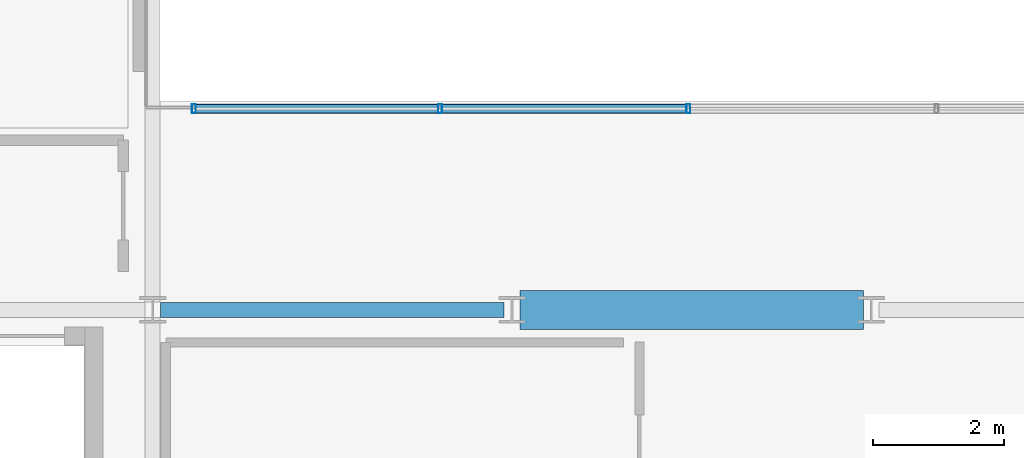
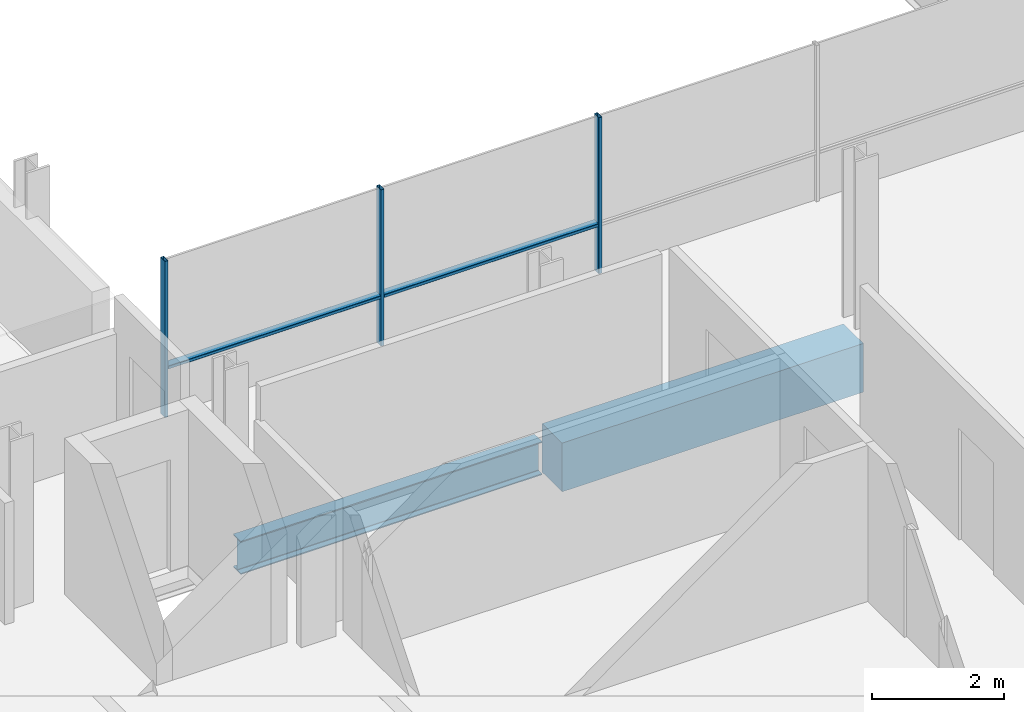
# One storey, part 6 of 38: 5 members, 2 beams, 1 element without a shape of its own.
"""IFC4 building model written with IfcOpenShell, lengths in metres."""

import ifcopenshell
import ifcopenshell.guid

model = None  # the IFC model being written
_history = None  # IfcOwnerHistory: only IFC2X3 demands one
_inside = {}  # id of a spatial element -> (the spatial element, [elements in it])
_under = {}  # id of a project, library or spatial element -> (it, [spatial elements below it])
_declared = {}  # id of a project -> (the project, [libraries it declares])
_typed = {}  # id of a type object -> (the type object, [elements of that type])
_made_of = {}  # id of a material, layer set ... -> (it, [elements and type objects made of it])


def new_model(schema):
    """Start an empty IFC model of exactly this schema.

    Asked for "IFC4X3", IfcOpenShell would pick the latest addendum, in which some entities
    have other attributes; the version numbers below select the first issue.
    IFC2X3 requires an IfcOwnerHistory on every rooted entity: one is made here for all.
    """
    global model, _history
    if schema == "IFC4X3":
        model = ifcopenshell.file(schema_version=(4, 3, 0, 0))
    else:
        model = ifcopenshell.file(schema=schema)
    _inside.clear()
    _under.clear()
    _declared.clear()
    _typed.clear()
    _made_of.clear()
    _history = None
    if model.schema == "IFC2X3":
        org = make("IfcOrganization", Name="unknown")
        user = make(
            "IfcPersonAndOrganization",
            ThePerson=make("IfcPerson", FamilyName="unknown"),
            TheOrganization=org,
        )
        app = make(
            "IfcApplication",
            ApplicationDeveloper=org,
            Version="unknown",
            ApplicationFullName="unknown",
            ApplicationIdentifier="unknown",
        )
        _history = make(
            "IfcOwnerHistory",
            OwningUser=user,
            OwningApplication=app,
            ChangeAction="ADDED",
            CreationDate=0,
        )
    return model


def make(cls, **values):
    """One entity of the class cls with the attributes given. An attribute that is None is left unset."""
    return model.create_entity(
        cls, **{name: value for name, value in values.items() if value is not None}
    )


def rooted(cls, **values):
    """An entity with a GlobalId (a new one), such as an element, a storey or a relation."""
    return make(cls, GlobalId=ifcopenshell.guid.new(), OwnerHistory=_history, **values)


def si_unit(unit_type, name, prefix=None):
    """IfcSIUnit, for example si_unit("LENGTHUNIT", "METRE", prefix="MILLI")."""
    return make("IfcSIUnit", UnitType=unit_type, Prefix=prefix, Name=name)


def assignment(units):
    """IfcUnitAssignment: the units of a project."""
    return None if units is None else make("IfcUnitAssignment", Units=units)


def point(xyz):
    """IfcCartesianPoint."""
    return None if xyz is None else make("IfcCartesianPoint", Coordinates=xyz)


def direction(xyz):
    """IfcDirection."""
    return None if xyz is None else make("IfcDirection", DirectionRatios=xyz)


def frame(location, z_axis=None, x_axis=None):
    """IfcAxis2Placement3D, a coordinate frame: its origin and axes. An axis left out is left unset."""
    return make(
        "IfcAxis2Placement3D",
        Location=point(location),
        Axis=direction(z_axis),
        RefDirection=direction(x_axis),
    )


def frame_2d(location, x_axis=None):
    """IfcAxis2Placement2D, a coordinate frame in the plane: its origin and x axis."""
    return make(
        "IfcAxis2Placement2D", Location=point(location), RefDirection=direction(x_axis)
    )


def origin():
    """The frame at (0, 0, 0) with its axes left unset."""
    return frame((0.0, 0.0, 0.0))


def origin_2d():
    """The frame at (0, 0) in the plane with its x axis left unset."""
    return frame_2d((0.0, 0.0))


def place(relative_to, where):
    """IfcLocalPlacement: puts the frame where relative to a parent placement (None: the world)."""
    return make(
        "IfcLocalPlacement", PlacementRelTo=relative_to, RelativePlacement=where
    )


def context(
    kind, dimensions, precision=None, world=None, true_north=None, identifier=None
):
    """IfcGeometricRepresentationContext, for example the 3D "Model" context."""
    return make(
        "IfcGeometricRepresentationContext",
        ContextIdentifier=identifier,
        ContextType=kind,
        CoordinateSpaceDimension=dimensions,
        Precision=precision,
        WorldCoordinateSystem=world,
        TrueNorth=true_north,
    )


def subcontext(parent, identifier, kind, view, scale=None):
    """IfcGeometricRepresentationSubContext, for example "Body" below "Model"."""
    return make(
        "IfcGeometricRepresentationSubContext",
        ContextIdentifier=identifier,
        ContextType=kind,
        ParentContext=parent,
        TargetScale=scale,
        TargetView=view,
    )


def project(units=None, contexts=None):
    """IfcProject with its units and contexts."""
    return rooted(
        "IfcProject",
        Name="project",
        RepresentationContexts=contexts,
        UnitsInContext=assignment(units),
    )


def spatial(cls, under=None, at=None, **own):
    """A site, building, storey or space (cls), placed at a placement, below another one or the project."""
    s = rooted(cls, ObjectPlacement=at, **own)
    if under is not None:
        _under.setdefault(under.id(), (under, []))[1].append(s)
    return s


def profile(cls, at=None, kind="AREA", **sizes):
    """A parametric profile (cls). Its sizes go by their IFC names, for example OverallWidth=200.0."""
    return make(cls, ProfileType=kind, Position=at, **sizes)


def rectangle(**sizes):
    """IfcRectangleProfileDef."""
    return profile("IfcRectangleProfileDef", **sizes)


def hollow_rectangle(**sizes):
    """IfcRectangleHollowProfileDef."""
    return profile("IfcRectangleHollowProfileDef", **sizes)


def i_section(**sizes):
    """IfcIShapeProfileDef."""
    return profile("IfcIShapeProfileDef", **sizes)


def extrude(swept, where, along, depth):
    """IfcExtrudedAreaSolid: the profile swept, set in the frame where, extruded along a direction by depth."""
    return make(
        "IfcExtrudedAreaSolid",
        SweptArea=swept,
        Position=where,
        ExtrudedDirection=direction(along),
        Depth=depth,
    )


def shape(context_of_items, identifier, shape_type, items):
    """IfcShapeRepresentation: the items that make up one representation, for example the "Body"."""
    return make(
        "IfcShapeRepresentation",
        ContextOfItems=context_of_items,
        RepresentationIdentifier=identifier,
        RepresentationType=shape_type,
        Items=items,
    )


def material(Name=None, Category=None):
    """IfcMaterial."""
    return make("IfcMaterial", Name=Name, Category=Category)


def layer(
    of_material, thickness, ventilated=None, Name=None, Category=None, Priority=None
):
    """IfcMaterialLayer: one layer of a wall or slab, of a material (None: an air gap)."""
    return make(
        "IfcMaterialLayer",
        Material=of_material,
        LayerThickness=thickness,
        IsVentilated=ventilated,
        Name=Name,
        Category=Category,
        Priority=Priority,
    )


def layer_set(layers, Name=None):
    """IfcMaterialLayerSet."""
    return make("IfcMaterialLayerSet", MaterialLayers=layers, LayerSetName=Name)


def material_profile(
    of_material, cross_section, Name=None, Category=None, Priority=None
):
    """IfcMaterialProfile: a cross section and its material."""
    return make(
        "IfcMaterialProfile",
        Name=Name,
        Material=of_material,
        Profile=cross_section,
        Priority=Priority,
        Category=Category,
    )


def profile_set(profiles, Name=None, composite=None):
    """IfcMaterialProfileSet."""
    return make(
        "IfcMaterialProfileSet",
        Name=Name,
        MaterialProfiles=profiles,
        CompositeProfile=composite,
    )


def made_of(thing, what):
    """Note that an element or type object is made of a material, layer set ...; save() writes the relation."""
    if what is not None:
        _made_of.setdefault(what.id(), (what, []))[1].append(thing)
    return thing


def type_object(cls, material=None, **own):
    """A type object (cls), such as IfcWallType, which elements share."""
    return made_of(rooted(cls, **own), material)


def element(
    cls,
    number,
    at=None,
    inside=None,
    cuts=None,
    type_object=None,
    material=None,
    context=None,
    identifier="Body",
    shape_type=None,
    held_by="IfcProductDefinitionShape",
    body=None,
    shapes=None,
    **own,
):
    """One element of the class cls, such as IfcWall. Its Tag is "e" and its number.

    at: its placement. inside: the storey or other place that contains it. cuts: it is an
    opening in that element (IfcRelVoidsElement). A single representation is given by context,
    identifier, shape_type and body (its items); several are given by shapes. held_by: the class
    of the entity that holds the representations. save() writes the other relations.
    """
    e = rooted(cls, Tag="e%d" % number, ObjectPlacement=at, **own)
    if body is not None:
        shapes = [shape(context, identifier, shape_type, body)]
    if shapes is not None:
        e.Representation = make(held_by, Representations=shapes)
    if inside is not None:
        _inside.setdefault(inside.id(), (inside, []))[1].append(e)
    if cuts is not None:
        rooted(
            "IfcRelVoidsElement", RelatingBuildingElement=cuts, RelatedOpeningElement=e
        )
    if type_object is not None:
        _typed.setdefault(type_object.id(), (type_object, []))[1].append(e)
    return made_of(e, material)


def aggregate(whole, parts):
    """IfcRelAggregates: a whole, such as a stair, and the parts it consists of."""
    return rooted("IfcRelAggregates", RelatingObject=whole, RelatedObjects=parts)


def save(model, path):
    """Write the relations noted so far, then the file.

    IfcRelAggregates (storeys below a building ...), IfcRelContainedInSpatialStructure (elements
    in a storey), IfcRelDefinesByType, IfcRelAssociatesMaterial and IfcRelDeclares: one each for
    every whole, place, type object, material and project.
    """
    for whole, parts in _under.values():
        aggregate(whole, parts)
    for where, things in _inside.values():
        rooted(
            "IfcRelContainedInSpatialStructure",
            RelatedElements=things,
            RelatingStructure=where,
        )
    for kind, things in _typed.values():
        rooted("IfcRelDefinesByType", RelatedObjects=things, RelatingType=kind)
    for what, things in _made_of.values():
        rooted("IfcRelAssociatesMaterial", RelatedObjects=things, RelatingMaterial=what)
    for by, libraries in _declared.values():
        rooted("IfcRelDeclares", RelatingContext=by, RelatedDefinitions=libraries)
    model.write(path)


model = new_model("IFC4")

# Units and contexts
model_context = context("Model", 3, precision=1e-05, world=origin(), true_north=direction((0.0, 1.0)))
body_context = subcontext(model_context, "Body", "Model", "MODEL_VIEW")
ifc_project = project(units=[si_unit("LENGTHUNIT", "METRE"), si_unit("AREAUNIT", "SQUARE_METRE"), si_unit("VOLUMEUNIT", "CUBIC_METRE"), si_unit("PLANEANGLEUNIT", "RADIAN"), si_unit("MASSUNIT", "GRAM", prefix="KILO")], contexts=[model_context])

# Site, building, storey
site_placement = place(None, origin())
site = spatial("IfcSite", under=ifc_project, at=site_placement, CompositionType="ELEMENT")
building_placement = place(site_placement, origin())
building = spatial("IfcBuilding", under=site, at=building_placement, Name="Brevholm Reach", CompositionType="ELEMENT")
storey_placement = place(building_placement, frame((0.0, 0.0, 141.800048828125)))
storey = spatial("IfcBuildingStorey", under=building, at=storey_placement, Name="L42", CompositionType="ELEMENT", Elevation=141.800048828125)

# Beams
ifc_material_1 = material(Name="Concrete C50/60", Category="concrete")
ifc_material_profile_1 = material_profile(ifc_material_1, rectangle(XDim=0.60009765625, YDim=0.89990234375, at=origin_2d()), Name="RC 600x900")
ifc_profile_set_1 = profile_set([ifc_material_profile_1], Name="Concrete C50/60")
beam_type_1 = type_object("IfcBeamType", Name="BM-CB600", PredefinedType="LINTEL", material=ifc_profile_set_1)
beam_1_placement = place(storey_placement, frame((27.3701171875, 10.0, -0.670166015625), z_axis=(1.0, 0.0, 0.0), x_axis=(0.0, 1.0, 0.0)))
element("IfcBeam", 1, at=beam_1_placement, inside=storey, type_object=beam_type_1, Name="L42 CB-02 Framing Beam", PredefinedType="LINTEL", context=body_context, shape_type="SweptSolid", body=[
    extrude(rectangle(XDim=0.60009765625, YDim=0.89990234375, at=origin_2d()), origin(), (0.0, 0.0, 1.0), 5.259765625),
])
ifc_material_2 = material(Name="Structural Steel S355J2", Category="steel")
ifc_material_profile_2 = material_profile(ifc_material_2, i_section(OverallWidth=0.22900390625, OverallDepth=0.6123046875, WebThickness=0.011962890625, FlangeThickness=0.01953125, FilletRadius=0.0126953125, at=origin_2d()), Name="UKB 610x229x125")
ifc_profile_set_2 = profile_set([ifc_material_profile_2], Name="Structural Steel S355J2")
beam_type_2 = type_object("IfcBeamType", Name="BM-SP610", PredefinedType="SPANDREL", material=ifc_profile_set_2)
beam_2_placement = place(storey_placement, frame((21.8701171875, 10.0, -0.526123046875), z_axis=(1.0, 0.0, 0.0), x_axis=(0.0, 1.0, 0.0)))
element("IfcBeam", 2, at=beam_2_placement, inside=storey, type_object=beam_type_2, Name="L42 SP-01 Framing Beam", PredefinedType="SPANDREL", context=body_context, shape_type="SweptSolid", body=[
    extrude(i_section(OverallWidth=0.22900390625, OverallDepth=0.6123046875, WebThickness=0.011962890625, FlangeThickness=0.01953125, FilletRadius=0.0126953125, at=origin_2d()), origin(), (0.0, 0.0, 1.0), 5.259765625),
])

# Curtain wall, members
ifc_material_3 = material(Name="Dark Anodised Aluminium 6063-T6 and Solar-Control Glass", Category="aluminium")
ifc_layer = layer(ifc_material_3, 0.139892578125)
ifc_layer_set = layer_set([ifc_layer], Name="Dark Anodised Aluminium 6063-T6 and Solar-Control Glass")
curtain_wall_type = type_object("IfcCurtainWallType", Name="CW-02", PredefinedType="NOTDEFINED", material=ifc_layer_set)
curtain_wall_placement = place(storey_placement, origin())
curtain_wall = element("IfcCurtainWall", 3, at=curtain_wall_placement, inside=storey, type_object=curtain_wall_type, Name="L42 Curtain Wall CW-02", PredefinedType="NOTDEFINED")
ifc_material_4 = material(Name="Dark Anodised Aluminium 6063-T6", Category="aluminium")
ifc_material_profile_3 = material_profile(ifc_material_4, hollow_rectangle(XDim=0.06005859375, YDim=0.139892578125, WallThickness=0.0048828125, InnerFilletRadius=0.0048828125, OuterFilletRadius=0.010009765625, at=origin_2d()), Name="RHS 140x60x5")
ifc_profile_set_3 = profile_set([ifc_material_profile_3], Name="Dark Anodised Aluminium 6063-T6")
member_type_1 = type_object("IfcMemberType", Name="CWM-140", PredefinedType="MULLION", material=ifc_profile_set_3)
member_1_placement = place(storey_placement, frame((22.3798828125, 13.080078125, 0.0), z_axis=(0.0, 0.0, 1.0), x_axis=(1.0, 0.0, 0.0)))
member_1 = element("IfcMember", 4, at=member_1_placement, type_object=member_type_1, Name="CM-140 Mullion 1", PredefinedType="MULLION", context=body_context, shape_type="SweptSolid", body=[
    extrude(hollow_rectangle(XDim=0.06005859375, YDim=0.139892578125, WallThickness=0.0048828125, InnerFilletRadius=0.0048828125, OuterFilletRadius=0.010009765625, at=origin_2d()), origin(), (0.0, 0.0, 1.0), 2.8798828125),
])
member_2_placement = place(storey_placement, frame((26.14990234375, 13.080078125, 0.0), z_axis=(0.0, 0.0, 1.0), x_axis=(1.0, 0.0, 0.0)))
member_2 = element("IfcMember", 5, at=member_2_placement, type_object=member_type_1, Name="CM-140 Mullion 2", PredefinedType="MULLION", context=body_context, shape_type="SweptSolid", body=[
    extrude(hollow_rectangle(XDim=0.06005859375, YDim=0.139892578125, WallThickness=0.0048828125, InnerFilletRadius=0.0048828125, OuterFilletRadius=0.010009765625, at=origin_2d()), origin(), (0.0, 0.0, 1.0), 2.8798828125),
])
member_3_placement = place(storey_placement, frame((29.949951171875, 13.080078125, 0.0), z_axis=(0.0, 0.0, 1.0), x_axis=(1.0, 0.0, 0.0)))
member_3 = element("IfcMember", 6, at=member_3_placement, type_object=member_type_1, Name="CM-140 Mullion 3", PredefinedType="MULLION", context=body_context, shape_type="SweptSolid", body=[
    extrude(hollow_rectangle(XDim=0.06005859375, YDim=0.139892578125, WallThickness=0.0048828125, InnerFilletRadius=0.0048828125, OuterFilletRadius=0.010009765625, at=origin_2d()), origin(), (0.0, 0.0, 1.0), 2.8798828125),
])
ifc_material_5 = material(Name="Dark Anodised Aluminium 6063-T6", Category="aluminium")
ifc_material_profile_4 = material_profile(ifc_material_5, hollow_rectangle(XDim=0.06005859375, YDim=0.139892578125, WallThickness=0.0048828125, InnerFilletRadius=0.0048828125, OuterFilletRadius=0.010009765625, at=origin_2d()), Name="RHS 140x60x5")
ifc_profile_set_4 = profile_set([ifc_material_profile_4], Name="Dark Anodised Aluminium 6063-T6")
member_type_2 = type_object("IfcMemberType", Name="CWT-140", PredefinedType="NOTDEFINED", material=ifc_profile_set_4)
member_4_placement = place(storey_placement, frame((22.409912109375, 13.080078125, 0.89990234375), z_axis=(1.0, 0.0, 0.0), x_axis=(0.0, 0.0, 1.0)))
member_4 = element("IfcMember", 7, at=member_4_placement, type_object=member_type_2, Name="CT-140 Transom 1.1", ObjectType="TRANSOM", PredefinedType="USERDEFINED", context=body_context, shape_type="SweptSolid", body=[
    extrude(hollow_rectangle(XDim=0.06005859375, YDim=0.139892578125, WallThickness=0.0048828125, InnerFilletRadius=0.0048828125, OuterFilletRadius=0.010009765625, at=origin_2d()), origin(), (0.0, 0.0, 1.0), 3.710205078125),
])
member_5_placement = place(storey_placement, frame((26.179931640625, 13.080078125, 0.89990234375), z_axis=(1.0, 0.0, 0.0), x_axis=(0.0, 0.0, 1.0)))
member_5 = element("IfcMember", 8, at=member_5_placement, type_object=member_type_2, Name="CT-140 Transom 2.1", ObjectType="TRANSOM", PredefinedType="USERDEFINED", context=body_context, shape_type="SweptSolid", body=[
    extrude(hollow_rectangle(XDim=0.06005859375, YDim=0.139892578125, WallThickness=0.0048828125, InnerFilletRadius=0.0048828125, OuterFilletRadius=0.010009765625, at=origin_2d()), origin(), (0.0, 0.0, 1.0), 3.739990234375),
])
aggregate(curtain_wall, [member_1, member_2, member_3, member_4, member_5])

save(model, "model.ifc")
